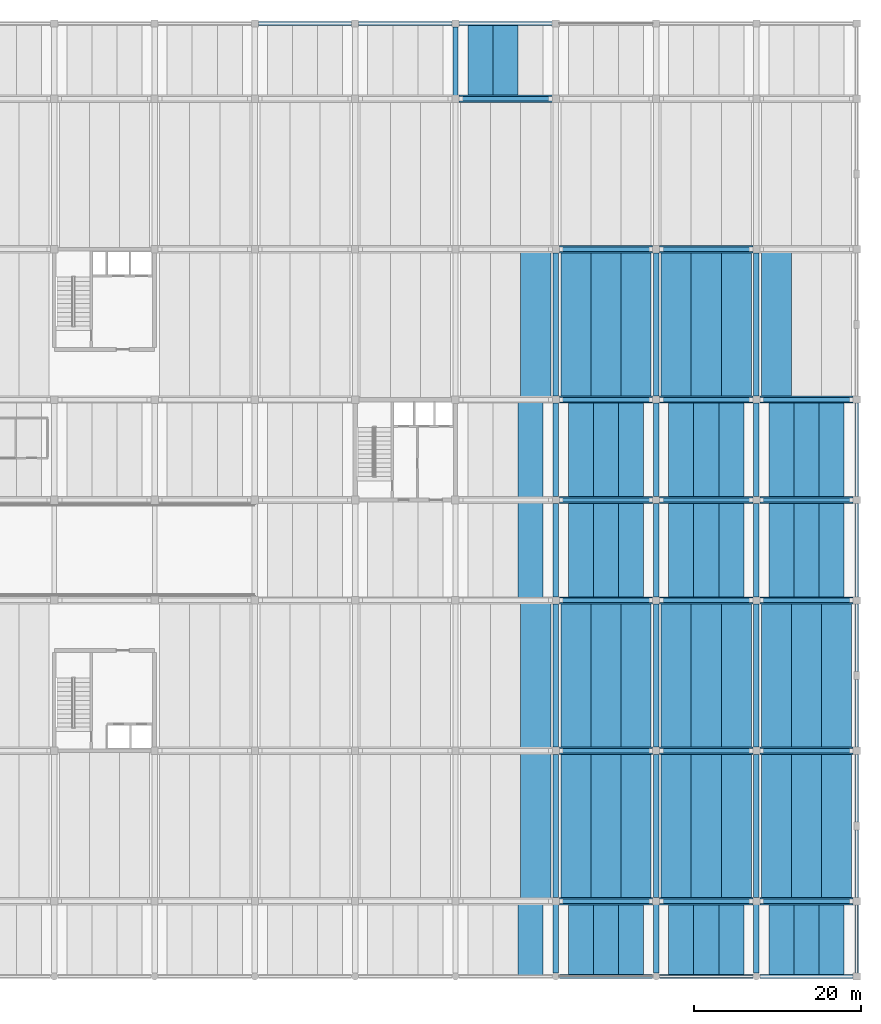
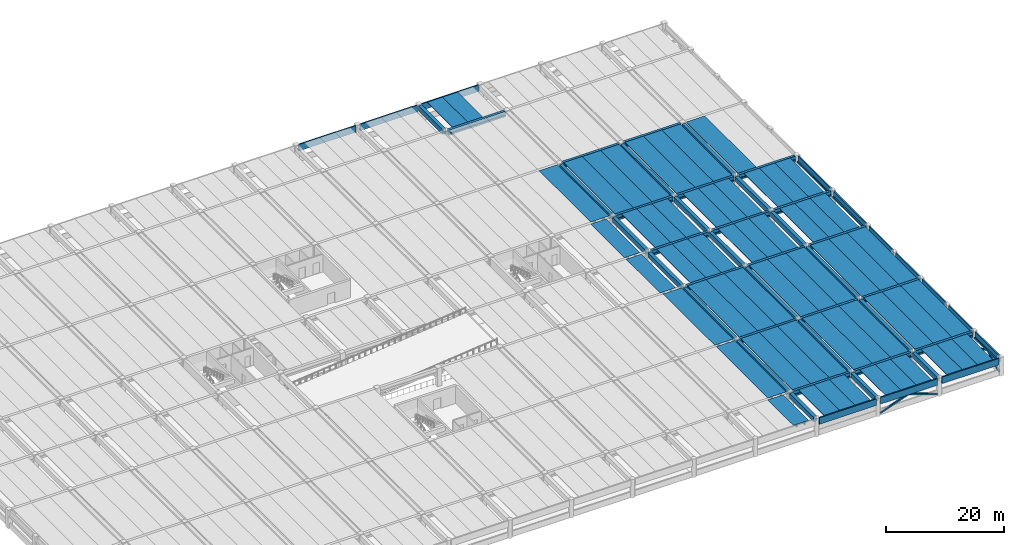
# One storey, part 5 of 19: 110 beams, 4 members.
"""IFC4 building model written with IfcOpenShell, lengths in metres."""

from ifc_helpers import new_model, si_unit, direction, frame, origin, origin_2d, place, context, subcontext, project, spatial, polyline, rectangle, hollow_rectangle, outline, extrude, material, material_profile, profile_set, type_object, element, save


model = new_model("IFC4")

# Units and contexts
model_context = context("Model", 3, precision=1e-05, world=origin(), true_north=direction((0.0, 1.0)))
body_context = subcontext(model_context, "Body", "Model", "MODEL_VIEW")
ifc_project = project(units=[si_unit("LENGTHUNIT", "METRE"), si_unit("AREAUNIT", "SQUARE_METRE"), si_unit("VOLUMEUNIT", "CUBIC_METRE"), si_unit("PLANEANGLEUNIT", "RADIAN"), si_unit("MASSUNIT", "GRAM", prefix="KILO")], contexts=[model_context])

# Site, building, storey
site_placement = place(None, origin())
site = spatial("IfcSite", under=ifc_project, at=site_placement, CompositionType="ELEMENT")
building_placement = place(site_placement, origin())
building = spatial("IfcBuilding", under=site, at=building_placement, Name="Girod Span Mobility Hub", CompositionType="ELEMENT")
storey_placement = place(building_placement, frame((0.0, 0.0, 9.60009765625)))
storey = spatial("IfcBuildingStorey", under=building, at=storey_placement, Name="L02", CompositionType="ELEMENT", Elevation=9.60009765625)

# Beams
ifc_material_1 = material(Name="Concrete C50/60", Category="concrete")
ifc_material_profile_1 = material_profile(ifc_material_1, outline(polyline([(-1.5, 0.35009765625), (-1.5, 0.2548828125), (-0.840087890625, 0.2548828125), (-0.81494140625, -0.35009765625), (-0.68505859375, -0.35009765625), (-0.659912109375, 0.2548828125), (0.659912109375, 0.2548828125), (0.68505859375, -0.35009765625), (0.81494140625, -0.35009765625), (0.840087890625, 0.2548828125), (1.5, 0.2548828125), (1.5, 0.35009765625), (-1.5, 0.35009765625)])), Name="DT-3000X700")
ifc_profile_set_1 = profile_set([ifc_material_profile_1], Name="Concrete C50/60")
beam_type_1 = type_object("IfcBeamType", Name="BM-DT-3000X700", PredefinedType="JOIST", material=ifc_profile_set_1)
beam_1_placement = place(storey_placement, frame((129.0, 0.02197265625, 3.284912109375), z_axis=(0.0, 1.0, 0.0), x_axis=(-1.0, 0.0, 0.0)))
element("IfcBeam", 1, at=beam_1_placement, inside=storey, type_object=beam_type_1, Name="Double-Tee Deck 11/A-3 L02", PredefinedType="JOIST", context=body_context, shape_type="SweptSolid", body=[
    extrude(outline(polyline([(-1.5, 0.35009765625), (-1.5, 0.2548828125), (-0.840087890625, 0.2548828125), (-0.81494140625, -0.35009765625), (-0.68505859375, -0.35009765625), (-0.659912109375, 0.2548828125), (0.659912109375, 0.2548828125), (0.68505859375, -0.35009765625), (0.81494140625, -0.35009765625), (0.840087890625, 0.2548828125), (1.5, 0.2548828125), (1.5, 0.35009765625), (-1.5, 0.35009765625)])), origin(), (0.0, 0.0, 1.0), 8.73095703125),
])
for number, where, z_axis, x_axis, name in (
    (2, (129.0, 45.2470703125, 3.284912109375), (0.0, 1.0, 0.0), (-1.0, 0.0, 0.0), "Double-Tee Deck 11/D-3 L02"),
    (3, (129.0, 57.2470703125, 3.284912109375), (0.0, 1.0, 0.0), (-1.0, 0.0, 0.0), "Double-Tee Deck 11/E-3 L02"),
):
    element("IfcBeam", number, at=place(storey_placement, frame(where, z_axis=z_axis, x_axis=x_axis)), inside=storey, type_object=beam_type_1, Name=name, PredefinedType="JOIST", context=body_context, shape_type="SweptSolid", body=[
        extrude(outline(polyline([(-1.5, 0.35009765625), (-1.5, 0.2548828125), (-0.840087890625, 0.2548828125), (-0.81494140625, -0.35009765625), (-0.68505859375, -0.35009765625), (-0.659912109375, 0.2548828125), (0.659912109375, 0.2548828125), (0.68505859375, -0.35009765625), (0.81494140625, -0.35009765625), (0.840087890625, 0.2548828125), (1.5, 0.2548828125), (1.5, 0.35009765625), (-1.5, 0.35009765625)])), origin(), (0.0, 0.0, 1.0), 11.505859375),
    ])
for number, where, z_axis, x_axis, name in (
    (4, (123.0, 105.2470703125, 3.284912109375), (0.0, 1.0, 0.0), (-1.0, 0.0, 0.0), "Double-Tee Deck 11/H-1 L02"),
    (5, (126.0, 105.2470703125, 3.284912109375), (0.0, 1.0, 0.0), (-1.0, 0.0, 0.0), "Double-Tee Deck 11/H-2 L02"),
):
    element("IfcBeam", number, at=place(storey_placement, frame(where, z_axis=z_axis, x_axis=x_axis)), inside=storey, type_object=beam_type_1, Name=name, PredefinedType="JOIST", context=body_context, shape_type="SweptSolid", body=[
        extrude(outline(polyline([(-1.5, 0.35009765625), (-1.5, 0.2548828125), (-0.840087890625, 0.2548828125), (-0.81494140625, -0.35009765625), (-0.68505859375, -0.35009765625), (-0.659912109375, 0.2548828125), (0.659912109375, 0.2548828125), (0.68505859375, -0.35009765625), (0.81494140625, -0.35009765625), (0.840087890625, 0.2548828125), (1.5, 0.2548828125), (1.5, 0.35009765625), (-1.5, 0.35009765625)])), origin(), (0.0, 0.0, 1.0), 8.531005859375),
    ])
for number, where, z_axis, x_axis, name in (
    (6, (135.0, 0.02197265625, 3.284912109375), (0.0, 1.0, 0.0), (-1.0, 0.0, 0.0), "Double-Tee Deck 12/A-1 L02"),
    (7, (138.0, 0.02197265625, 3.284912109375), (0.0, 1.0, 0.0), (-1.0, 0.0, 0.0), "Double-Tee Deck 12/A-2 L02"),
    (8, (141.0, 0.02197265625, 3.284912109375), (0.0, 1.0, 0.0), (-1.0, 0.0, 0.0), "Double-Tee Deck 12/A-3 L02"),
):
    element("IfcBeam", number, at=place(storey_placement, frame(where, z_axis=z_axis, x_axis=x_axis)), inside=storey, type_object=beam_type_1, Name=name, PredefinedType="JOIST", context=body_context, shape_type="SweptSolid", body=[
        extrude(outline(polyline([(-1.5, 0.35009765625), (-1.5, 0.2548828125), (-0.840087890625, 0.2548828125), (-0.81494140625, -0.35009765625), (-0.68505859375, -0.35009765625), (-0.659912109375, 0.2548828125), (0.659912109375, 0.2548828125), (0.68505859375, -0.35009765625), (0.81494140625, -0.35009765625), (0.840087890625, 0.2548828125), (1.5, 0.2548828125), (1.5, 0.35009765625), (-1.5, 0.35009765625)])), origin(), (0.0, 0.0, 1.0), 8.73095703125),
    ])
for number, where, z_axis, x_axis, name in (
    (9, (135.0, 45.2470703125, 3.284912109375), (0.0, 1.0, 0.0), (-1.0, 0.0, 0.0), "Double-Tee Deck 12/D-1 L02"),
    (10, (138.0, 45.2470703125, 3.284912109375), (0.0, 1.0, 0.0), (-1.0, 0.0, 0.0), "Double-Tee Deck 12/D-2 L02"),
    (11, (141.0, 45.2470703125, 3.284912109375), (0.0, 1.0, 0.0), (-1.0, 0.0, 0.0), "Double-Tee Deck 12/D-3 L02"),
    (12, (135.0, 57.2470703125, 3.284912109375), (0.0, 1.0, 0.0), (-1.0, 0.0, 0.0), "Double-Tee Deck 12/E-1 L02"),
    (13, (138.0, 57.2470703125, 3.284912109375), (0.0, 1.0, 0.0), (-1.0, 0.0, 0.0), "Double-Tee Deck 12/E-2 L02"),
    (14, (141.0, 57.2470703125, 3.284912109375), (0.0, 1.0, 0.0), (-1.0, 0.0, 0.0), "Double-Tee Deck 12/E-3 L02"),
):
    element("IfcBeam", number, at=place(storey_placement, frame(where, z_axis=z_axis, x_axis=x_axis)), inside=storey, type_object=beam_type_1, Name=name, PredefinedType="JOIST", context=body_context, shape_type="SweptSolid", body=[
        extrude(outline(polyline([(-1.5, 0.35009765625), (-1.5, 0.2548828125), (-0.840087890625, 0.2548828125), (-0.81494140625, -0.35009765625), (-0.68505859375, -0.35009765625), (-0.659912109375, 0.2548828125), (0.659912109375, 0.2548828125), (0.68505859375, -0.35009765625), (0.81494140625, -0.35009765625), (0.840087890625, 0.2548828125), (1.5, 0.2548828125), (1.5, 0.35009765625), (-1.5, 0.35009765625)])), origin(), (0.0, 0.0, 1.0), 11.505859375),
    ])
for number, where, z_axis, x_axis, name in (
    (15, (147.0, 0.02197265625, 3.284912109375), (0.0, 1.0, 0.0), (-1.0, 0.0, 0.0), "Double-Tee Deck 13/A-1 L02"),
    (16, (150.0, 0.02197265625, 3.284912109375), (0.0, 1.0, 0.0), (-1.0, 0.0, 0.0), "Double-Tee Deck 13/A-2 L02"),
    (17, (153.0, 0.02197265625, 3.284912109375), (0.0, 1.0, 0.0), (-1.0, 0.0, 0.0), "Double-Tee Deck 13/A-3 L02"),
):
    element("IfcBeam", number, at=place(storey_placement, frame(where, z_axis=z_axis, x_axis=x_axis)), inside=storey, type_object=beam_type_1, Name=name, PredefinedType="JOIST", context=body_context, shape_type="SweptSolid", body=[
        extrude(outline(polyline([(-1.5, 0.35009765625), (-1.5, 0.2548828125), (-0.840087890625, 0.2548828125), (-0.81494140625, -0.35009765625), (-0.68505859375, -0.35009765625), (-0.659912109375, 0.2548828125), (0.659912109375, 0.2548828125), (0.68505859375, -0.35009765625), (0.81494140625, -0.35009765625), (0.840087890625, 0.2548828125), (1.5, 0.2548828125), (1.5, 0.35009765625), (-1.5, 0.35009765625)])), origin(), (0.0, 0.0, 1.0), 8.73095703125),
    ])
for number, where, z_axis, x_axis, name in (
    (18, (147.0, 45.2470703125, 3.284912109375), (0.0, 1.0, 0.0), (-1.0, 0.0, 0.0), "Double-Tee Deck 13/D-1 L02"),
    (19, (150.0, 45.2470703125, 3.284912109375), (0.0, 1.0, 0.0), (-1.0, 0.0, 0.0), "Double-Tee Deck 13/D-2 L02"),
    (20, (153.0, 45.2470703125, 3.284912109375), (0.0, 1.0, 0.0), (-1.0, 0.0, 0.0), "Double-Tee Deck 13/D-3 L02"),
    (21, (147.0, 57.2470703125, 3.284912109375), (0.0, 1.0, 0.0), (-1.0, 0.0, 0.0), "Double-Tee Deck 13/E-1 L02"),
    (22, (150.0, 57.2470703125, 3.284912109375), (0.0, 1.0, 0.0), (-1.0, 0.0, 0.0), "Double-Tee Deck 13/E-2 L02"),
    (23, (153.0, 57.2470703125, 3.284912109375), (0.0, 1.0, 0.0), (-1.0, 0.0, 0.0), "Double-Tee Deck 13/E-3 L02"),
):
    element("IfcBeam", number, at=place(storey_placement, frame(where, z_axis=z_axis, x_axis=x_axis)), inside=storey, type_object=beam_type_1, Name=name, PredefinedType="JOIST", context=body_context, shape_type="SweptSolid", body=[
        extrude(outline(polyline([(-1.5, 0.35009765625), (-1.5, 0.2548828125), (-0.840087890625, 0.2548828125), (-0.81494140625, -0.35009765625), (-0.68505859375, -0.35009765625), (-0.659912109375, 0.2548828125), (0.659912109375, 0.2548828125), (0.68505859375, -0.35009765625), (0.81494140625, -0.35009765625), (0.840087890625, 0.2548828125), (1.5, 0.2548828125), (1.5, 0.35009765625), (-1.5, 0.35009765625)])), origin(), (0.0, 0.0, 1.0), 11.505859375),
    ])
for number, where, z_axis, x_axis, name in (
    (24, (159.0, 0.02197265625, 3.284912109375), (0.0, 1.0, 0.0), (-1.0, 0.0, 0.0), "Double-Tee Deck 14/A-1 L02"),
    (25, (162.0, 0.02197265625, 3.284912109375), (0.0, 1.0, 0.0), (-1.0, 0.0, 0.0), "Double-Tee Deck 14/A-2 L02"),
    (26, (165.0, 0.02197265625, 3.284912109375), (0.0, 1.0, 0.0), (-1.0, 0.0, 0.0), "Double-Tee Deck 14/A-3 L02"),
):
    element("IfcBeam", number, at=place(storey_placement, frame(where, z_axis=z_axis, x_axis=x_axis)), inside=storey, type_object=beam_type_1, Name=name, PredefinedType="JOIST", context=body_context, shape_type="SweptSolid", body=[
        extrude(outline(polyline([(-1.5, 0.35009765625), (-1.5, 0.2548828125), (-0.840087890625, 0.2548828125), (-0.81494140625, -0.35009765625), (-0.68505859375, -0.35009765625), (-0.659912109375, 0.2548828125), (0.659912109375, 0.2548828125), (0.68505859375, -0.35009765625), (0.81494140625, -0.35009765625), (0.840087890625, 0.2548828125), (1.5, 0.2548828125), (1.5, 0.35009765625), (-1.5, 0.35009765625)])), origin(), (0.0, 0.0, 1.0), 8.73095703125),
    ])
for number, where, z_axis, x_axis, name in (
    (27, (159.0, 45.2470703125, 3.284912109375), (0.0, 1.0, 0.0), (-1.0, 0.0, 0.0), "Double-Tee Deck 14/D-1 L02"),
    (28, (162.0, 45.2470703125, 3.284912109375), (0.0, 1.0, 0.0), (-1.0, 0.0, 0.0), "Double-Tee Deck 14/D-2 L02"),
    (29, (165.0, 45.2470703125, 3.284912109375), (0.0, 1.0, 0.0), (-1.0, 0.0, 0.0), "Double-Tee Deck 14/D-3 L02"),
    (30, (159.0, 57.2470703125, 3.284912109375), (0.0, 1.0, 0.0), (-1.0, 0.0, 0.0), "Double-Tee Deck 14/E-1 L02"),
    (31, (162.0, 57.2470703125, 3.284912109375), (0.0, 1.0, 0.0), (-1.0, 0.0, 0.0), "Double-Tee Deck 14/E-2 L02"),
    (32, (165.0, 57.2470703125, 3.284912109375), (0.0, 1.0, 0.0), (-1.0, 0.0, 0.0), "Double-Tee Deck 14/E-3 L02"),
):
    element("IfcBeam", number, at=place(storey_placement, frame(where, z_axis=z_axis, x_axis=x_axis)), inside=storey, type_object=beam_type_1, Name=name, PredefinedType="JOIST", context=body_context, shape_type="SweptSolid", body=[
        extrude(outline(polyline([(-1.5, 0.35009765625), (-1.5, 0.2548828125), (-0.840087890625, 0.2548828125), (-0.81494140625, -0.35009765625), (-0.68505859375, -0.35009765625), (-0.659912109375, 0.2548828125), (0.659912109375, 0.2548828125), (0.68505859375, -0.35009765625), (0.81494140625, -0.35009765625), (0.840087890625, 0.2548828125), (1.5, 0.2548828125), (1.5, 0.35009765625), (-1.5, 0.35009765625)])), origin(), (0.0, 0.0, 1.0), 11.505859375),
    ])
ifc_material_2 = material(Name="Concrete C50/60", Category="concrete")
ifc_material_profile_2 = material_profile(ifc_material_2, outline(polyline([(-1.800048828125, 0.425048828125), (-1.800048828125, 0.324951171875), (-1.0, 0.324951171875), (-0.969970703125, -0.425048828125), (-0.830078125, -0.425048828125), (-0.800048828125, 0.324951171875), (0.800048828125, 0.324951171875), (0.830078125, -0.425048828125), (0.969970703125, -0.425048828125), (1.0, 0.324951171875), (1.800048828125, 0.324951171875), (1.800048828125, 0.425048828125), (-1.800048828125, 0.425048828125)])), Name="DT-3600X850")
ifc_profile_set_2 = profile_set([ifc_material_profile_2], Name="Concrete C50/60")
beam_type_2 = type_object("IfcBeamType", Name="BM-DT-3600X850", PredefinedType="JOIST", material=ifc_profile_set_2)
for number, where, z_axis, x_axis, name in (
    (33, (129.60009765625, 9.2470703125, 3.2099609375), (0.0, 1.0, 0.0), (-1.0, 0.0, 0.0), "Double-Tee Deck 11/B-3 L02"),
    (34, (129.60009765625, 27.2470703125, 3.2099609375), (0.0, 1.0, 0.0), (-1.0, 0.0, 0.0), "Double-Tee Deck 11/C-3 L02"),
    (35, (129.60009765625, 69.2470703125, 3.2099609375), (0.0, 1.0, 0.0), (-1.0, 0.0, 0.0), "Double-Tee Deck 11/F-3 L02"),
    (36, (134.39990234375, 9.2470703125, 3.2099609375), (0.0, 1.0, 0.0), (-1.0, 0.0, 0.0), "Double-Tee Deck 12/B-1 L02"),
    (37, (138.0, 9.2470703125, 3.2099609375), (0.0, 1.0, 0.0), (-1.0, 0.0, 0.0), "Double-Tee Deck 12/B-2 L02"),
    (38, (141.60009765625, 9.2470703125, 3.2099609375), (0.0, 1.0, 0.0), (-1.0, 0.0, 0.0), "Double-Tee Deck 12/B-3 L02"),
    (39, (134.39990234375, 27.2470703125, 3.2099609375), (0.0, 1.0, 0.0), (-1.0, 0.0, 0.0), "Double-Tee Deck 12/C-1 L02"),
    (40, (138.0, 27.2470703125, 3.2099609375), (0.0, 1.0, 0.0), (-1.0, 0.0, 0.0), "Double-Tee Deck 12/C-2 L02"),
    (41, (141.60009765625, 27.2470703125, 3.2099609375), (0.0, 1.0, 0.0), (-1.0, 0.0, 0.0), "Double-Tee Deck 12/C-3 L02"),
    (42, (134.39990234375, 69.2470703125, 3.2099609375), (0.0, 1.0, 0.0), (-1.0, 0.0, 0.0), "Double-Tee Deck 12/F-1 L02"),
    (43, (138.0, 69.2470703125, 3.2099609375), (0.0, 1.0, 0.0), (-1.0, 0.0, 0.0), "Double-Tee Deck 12/F-2 L02"),
    (44, (141.60009765625, 69.2470703125, 3.2099609375), (0.0, 1.0, 0.0), (-1.0, 0.0, 0.0), "Double-Tee Deck 12/F-3 L02"),
    (45, (146.39990234375, 9.2470703125, 3.2099609375), (0.0, 1.0, 0.0), (-1.0, 0.0, 0.0), "Double-Tee Deck 13/B-1 L02"),
    (46, (150.0, 9.2470703125, 3.2099609375), (0.0, 1.0, 0.0), (-1.0, 0.0, 0.0), "Double-Tee Deck 13/B-2 L02"),
    (47, (153.60009765625, 9.2470703125, 3.2099609375), (0.0, 1.0, 0.0), (-1.0, 0.0, 0.0), "Double-Tee Deck 13/B-3 L02"),
    (48, (146.39990234375, 27.2470703125, 3.2099609375), (0.0, 1.0, 0.0), (-1.0, 0.0, 0.0), "Double-Tee Deck 13/C-1 L02"),
    (49, (150.0, 27.2470703125, 3.2099609375), (0.0, 1.0, 0.0), (-1.0, 0.0, 0.0), "Double-Tee Deck 13/C-2 L02"),
    (50, (153.60009765625, 27.2470703125, 3.2099609375), (0.0, 1.0, 0.0), (-1.0, 0.0, 0.0), "Double-Tee Deck 13/C-3 L02"),
    (51, (146.39990234375, 69.2470703125, 3.2099609375), (0.0, 1.0, 0.0), (-1.0, 0.0, 0.0), "Double-Tee Deck 13/F-1 L02"),
    (52, (150.0, 69.2470703125, 3.2099609375), (0.0, 1.0, 0.0), (-1.0, 0.0, 0.0), "Double-Tee Deck 13/F-2 L02"),
    (53, (153.60009765625, 69.2470703125, 3.2099609375), (0.0, 1.0, 0.0), (-1.0, 0.0, 0.0), "Double-Tee Deck 13/F-3 L02"),
    (54, (158.39990234375, 9.2470703125, 3.2099609375), (0.0, 1.0, 0.0), (-1.0, 0.0, 0.0), "Double-Tee Deck 14/B-1 L02"),
    (55, (162.0, 9.2470703125, 3.2099609375), (0.0, 1.0, 0.0), (-1.0, 0.0, 0.0), "Double-Tee Deck 14/B-2 L02"),
    (56, (165.60009765625, 9.2470703125, 3.2099609375), (0.0, 1.0, 0.0), (-1.0, 0.0, 0.0), "Double-Tee Deck 14/B-3 L02"),
    (57, (158.39990234375, 27.2470703125, 3.2099609375), (0.0, 1.0, 0.0), (-1.0, 0.0, 0.0), "Double-Tee Deck 14/C-1 L02"),
    (58, (162.0, 27.2470703125, 3.2099609375), (0.0, 1.0, 0.0), (-1.0, 0.0, 0.0), "Double-Tee Deck 14/C-2 L02"),
    (59, (165.60009765625, 27.2470703125, 3.2099609375), (0.0, 1.0, 0.0), (-1.0, 0.0, 0.0), "Double-Tee Deck 14/C-3 L02"),
    (60, (158.39990234375, 69.2470703125, 3.2099609375), (0.0, 1.0, 0.0), (-1.0, 0.0, 0.0), "Double-Tee Deck 14/F-1 L02"),
):
    element("IfcBeam", number, at=place(storey_placement, frame(where, z_axis=z_axis, x_axis=x_axis)), inside=storey, type_object=beam_type_2, Name=name, PredefinedType="JOIST", context=body_context, shape_type="SweptSolid", body=[
        extrude(outline(polyline([(-1.800048828125, 0.425048828125), (-1.800048828125, 0.324951171875), (-1.0, 0.324951171875), (-0.969970703125, -0.425048828125), (-0.830078125, -0.425048828125), (-0.800048828125, 0.324951171875), (0.800048828125, 0.324951171875), (0.830078125, -0.425048828125), (0.969970703125, -0.425048828125), (1.0, 0.324951171875), (1.800048828125, 0.324951171875), (1.800048828125, 0.425048828125), (-1.800048828125, 0.425048828125)])), origin(), (0.0, 0.0, 1.0), 17.505859375),
    ])
ifc_material_3 = material(Name="Concrete C50/60", Category="concrete")
ifc_material_profile_3 = material_profile(ifc_material_3, outline(polyline([(-0.425048828125, -0.47509765625), (0.425048828125, -0.47509765625), (0.425048828125, -0.155029296875), (0.25, -0.155029296875), (0.25, 0.47509765625), (-0.25, 0.47509765625), (-0.25, -0.155029296875), (-0.425048828125, -0.155029296875), (-0.425048828125, -0.47509765625)])), Name="IT-850X950")
ifc_profile_set_3 = profile_set([ifc_material_profile_3], Name="Concrete C50/60")
beam_type_3 = type_object("IfcBeamType", Name="BM-IT-850X950", PredefinedType="T_BEAM", material=ifc_profile_set_3)
for number, where, z_axis, x_axis, name in (
    (61, (132.422119140625, 9.0, 3.159912109375), (1.0, 0.0, 0.0), (0.0, 1.0, 0.0), "Girder 12-13/B L02"),
    (62, (144.422119140625, 9.0, 3.159912109375), (1.0, 0.0, 0.0), (0.0, 1.0, 0.0), "Girder 13-14/B L02"),
    (63, (156.422119140625, 9.0, 3.159912109375), (1.0, 0.0, 0.0), (0.0, 1.0, 0.0), "Girder 14-15/B L02"),
    (64, (132.422119140625, 27.0, 3.159912109375), (1.0, 0.0, 0.0), (0.0, 1.0, 0.0), "Girder 12-13/C L02"),
    (65, (144.422119140625, 27.0, 3.159912109375), (1.0, 0.0, 0.0), (0.0, 1.0, 0.0), "Girder 13-14/C L02"),
    (66, (156.422119140625, 27.0, 3.159912109375), (1.0, 0.0, 0.0), (0.0, 1.0, 0.0), "Girder 14-15/C L02"),
    (67, (132.422119140625, 45.0, 3.159912109375), (1.0, 0.0, 0.0), (0.0, 1.0, 0.0), "Girder 12-13/D L02"),
    (68, (144.422119140625, 45.0, 3.159912109375), (1.0, 0.0, 0.0), (0.0, 1.0, 0.0), "Girder 13-14/D L02"),
    (69, (156.422119140625, 45.0, 3.159912109375), (1.0, 0.0, 0.0), (0.0, 1.0, 0.0), "Girder 14-15/D L02"),
    (70, (132.422119140625, 57.0, 3.159912109375), (1.0, 0.0, 0.0), (0.0, 1.0, 0.0), "Girder 12-13/E L02"),
    (71, (144.422119140625, 57.0, 3.159912109375), (1.0, 0.0, 0.0), (0.0, 1.0, 0.0), "Girder 13-14/E L02"),
    (72, (156.422119140625, 57.0, 3.159912109375), (1.0, 0.0, 0.0), (0.0, 1.0, 0.0), "Girder 14-15/E L02"),
    (73, (132.422119140625, 69.0, 3.159912109375), (1.0, 0.0, 0.0), (0.0, 1.0, 0.0), "Girder 12-13/F L02"),
    (74, (144.422119140625, 69.0, 3.159912109375), (1.0, 0.0, 0.0), (0.0, 1.0, 0.0), "Girder 13-14/F L02"),
    (75, (156.422119140625, 69.0, 3.159912109375), (1.0, 0.0, 0.0), (0.0, 1.0, 0.0), "Girder 14-15/F L02"),
    (76, (132.422119140625, 87.0, 3.159912109375), (1.0, 0.0, 0.0), (0.0, 1.0, 0.0), "Girder 12-13/G L02"),
    (77, (144.422119140625, 87.0, 3.159912109375), (1.0, 0.0, 0.0), (0.0, 1.0, 0.0), "Girder 13-14/G L02"),
    (78, (120.422119140625, 105.0, 3.159912109375), (1.0, 0.0, 0.0), (0.0, 1.0, 0.0), "Girder 11-12/H L02"),
):
    element("IfcBeam", number, at=place(storey_placement, frame(where, z_axis=z_axis, x_axis=x_axis)), inside=storey, type_object=beam_type_3, Name=name, PredefinedType="T_BEAM", context=body_context, shape_type="SweptSolid", body=[
        extrude(outline(polyline([(-0.425048828125, -0.47509765625), (0.425048828125, -0.47509765625), (0.425048828125, -0.155029296875), (0.25, -0.155029296875), (0.25, 0.47509765625), (-0.25, 0.47509765625), (-0.25, -0.155029296875), (-0.425048828125, -0.155029296875), (-0.425048828125, -0.47509765625)])), origin(), (0.0, 0.0, 1.0), 11.15576171875),
    ])
ifc_material_4 = material(Name="Concrete C40/50", Category="concrete")
ifc_material_profile_4 = material_profile(ifc_material_4, outline(polyline([(-0.22509765625, -0.675048828125), (0.22509765625, -0.675048828125), (0.22509765625, -0.324951171875), (0.02490234375, -0.324951171875), (0.02490234375, 0.675048828125), (-0.22509765625, 0.675048828125), (-0.22509765625, -0.675048828125)])), Name="SP-450X1350")
ifc_profile_set_4 = profile_set([ifc_material_profile_4], Name="Concrete C40/50")
beam_type_4 = type_object("IfcBeamType", Name="BM-SP-450X1350", PredefinedType="SPANDREL", material=ifc_profile_set_4)
for number, where, z_axis, x_axis, name in (
    (79, (132.422119140625, 0.0, 2.9599609375), (1.0, 0.0, 0.0), (0.0, 1.0, 0.0), "Girder 12-13/A L02"),
    (80, (144.422119140625, 0.0, 2.9599609375), (1.0, 0.0, 0.0), (0.0, 1.0, 0.0), "Girder 13-14/A L02"),
    (81, (156.422119140625, 0.0, 2.9599609375), (1.0, 0.0, 0.0), (0.0, 1.0, 0.0), "Girder 14-15/A L02"),
    (82, (96.422119140625, 114.0, 2.9599609375), (1.0, 0.0, 0.0), (0.0, 1.0, 0.0), "Girder 9-10/J L02"),
    (83, (108.422119140625, 114.0, 2.9599609375), (1.0, 0.0, 0.0), (0.0, 1.0, 0.0), "Girder 10-11/J L02"),
    (84, (120.422119140625, 114.0, 2.9599609375), (1.0, 0.0, 0.0), (0.0, 1.0, 0.0), "Girder 11-12/J L02"),
):
    element("IfcBeam", number, at=place(storey_placement, frame(where, z_axis=z_axis, x_axis=x_axis)), inside=storey, type_object=beam_type_4, Name=name, PredefinedType="SPANDREL", context=body_context, shape_type="SweptSolid", body=[
        extrude(outline(polyline([(-0.22509765625, -0.675048828125), (0.22509765625, -0.675048828125), (0.22509765625, -0.324951171875), (0.02490234375, -0.324951171875), (0.02490234375, 0.675048828125), (-0.22509765625, 0.675048828125), (-0.22509765625, -0.675048828125)])), origin(), (0.0, 0.0, 1.0), 11.15576171875),
    ])
beam_2_placement = place(storey_placement, frame((168.0, 0.422119140625, 2.9599609375), z_axis=(0.0, 1.0, 0.0), x_axis=(-1.0, 0.0, 0.0)))
element("IfcBeam", 85, at=beam_2_placement, inside=storey, type_object=beam_type_4, Name="Tie Girder 15/A-B L02", PredefinedType="SPANDREL", context=body_context, shape_type="SweptSolid", body=[
    extrude(outline(polyline([(-0.22509765625, -0.675048828125), (0.22509765625, -0.675048828125), (0.22509765625, -0.324951171875), (0.02490234375, -0.324951171875), (0.02490234375, 0.675048828125), (-0.22509765625, 0.675048828125), (-0.22509765625, -0.675048828125)])), origin(), (0.0, 0.0, 1.0), 8.15576171875),
])
for number, where, z_axis, x_axis, name in (
    (86, (168.0, 9.422119140625, 2.9599609375), (0.0, 1.0, 0.0), (-1.0, 0.0, 0.0), "Perimeter Spandrel 15/B-S L02"),
    (87, (168.0, 18.471923828125, 2.9599609375), (0.0, 1.0, 0.0), (-1.0, 0.0, 0.0), "Perimeter Spandrel 15/B-N L02"),
    (88, (168.0, 27.422119140625, 2.9599609375), (0.0, 1.0, 0.0), (-1.0, 0.0, 0.0), "Perimeter Spandrel 15/C-S L02"),
    (89, (168.0, 36.471923828125, 2.9599609375), (0.0, 1.0, 0.0), (-1.0, 0.0, 0.0), "Perimeter Spandrel 15/C-N L02"),
):
    element("IfcBeam", number, at=place(storey_placement, frame(where, z_axis=z_axis, x_axis=x_axis)), inside=storey, type_object=beam_type_4, Name=name, PredefinedType="SPANDREL", context=body_context, shape_type="SweptSolid", body=[
        extrude(outline(polyline([(-0.22509765625, -0.675048828125), (0.22509765625, -0.675048828125), (0.22509765625, -0.324951171875), (0.02490234375, -0.324951171875), (0.02490234375, 0.675048828125), (-0.22509765625, 0.675048828125), (-0.22509765625, -0.675048828125)])), origin(), (0.0, 0.0, 1.0), 8.10595703125),
    ])
for number, where, z_axis, x_axis, name in (
    (90, (168.0, 45.422119140625, 2.9599609375), (0.0, 1.0, 0.0), (-1.0, 0.0, 0.0), "Tie Girder 15/D-E L02"),
    (91, (168.0, 57.422119140625, 2.9599609375), (0.0, 1.0, 0.0), (-1.0, 0.0, 0.0), "Tie Girder 15/E-F L02"),
):
    element("IfcBeam", number, at=place(storey_placement, frame(where, z_axis=z_axis, x_axis=x_axis)), inside=storey, type_object=beam_type_4, Name=name, PredefinedType="SPANDREL", context=body_context, shape_type="SweptSolid", body=[
        extrude(outline(polyline([(-0.22509765625, -0.675048828125), (0.22509765625, -0.675048828125), (0.22509765625, -0.324951171875), (0.02490234375, -0.324951171875), (0.02490234375, 0.675048828125), (-0.22509765625, 0.675048828125), (-0.22509765625, -0.675048828125)])), origin(), (0.0, 0.0, 1.0), 11.15576171875),
    ])
ifc_material_5 = material(Name="Concrete C40/50", Category="concrete")
ifc_material_profile_5 = material_profile(ifc_material_5, rectangle(XDim=0.64990234375, YDim=1.0, at=origin_2d()), Name="TG-650X1000")
ifc_profile_set_5 = profile_set([ifc_material_profile_5], Name="Concrete C40/50")
beam_type_5 = type_object("IfcBeamType", Name="BM-TG-650X1000", PredefinedType="T_BEAM", material=ifc_profile_set_5)
for number, where, z_axis, x_axis, name in (
    (92, (120.0, 105.422119140625, 3.135009765625), (0.0, 1.0, 0.0), (-1.0, 0.0, 0.0), "Tie Girder 11/H-J L02"),
    (93, (132.0, 0.422119140625, 3.135009765625), (0.0, 1.0, 0.0), (-1.0, 0.0, 0.0), "Tie Girder 12/A-B L02"),
):
    element("IfcBeam", number, at=place(storey_placement, frame(where, z_axis=z_axis, x_axis=x_axis)), inside=storey, type_object=beam_type_5, Name=name, PredefinedType="T_BEAM", context=body_context, shape_type="SweptSolid", body=[
        extrude(rectangle(XDim=0.64990234375, YDim=1.0, at=origin_2d()), origin(), (0.0, 0.0, 1.0), 8.15576171875),
    ])
for number, where, z_axis, x_axis, name in (
    (94, (132.0, 9.422119140625, 3.135009765625), (0.0, 1.0, 0.0), (-1.0, 0.0, 0.0), "Tie Girder 12/B-C L02"),
    (95, (132.0, 27.422119140625, 3.135009765625), (0.0, 1.0, 0.0), (-1.0, 0.0, 0.0), "Tie Girder 12/C-D L02"),
):
    element("IfcBeam", number, at=place(storey_placement, frame(where, z_axis=z_axis, x_axis=x_axis)), inside=storey, type_object=beam_type_5, Name=name, PredefinedType="T_BEAM", context=body_context, shape_type="SweptSolid", body=[
        extrude(rectangle(XDim=0.64990234375, YDim=1.0, at=origin_2d()), origin(), (0.0, 0.0, 1.0), 17.15576171875),
    ])
for number, where, z_axis, x_axis, name in (
    (96, (132.0, 45.422119140625, 3.135009765625), (0.0, 1.0, 0.0), (-1.0, 0.0, 0.0), "Tie Girder 12/D-E L02"),
    (97, (132.0, 57.422119140625, 3.135009765625), (0.0, 1.0, 0.0), (-1.0, 0.0, 0.0), "Tie Girder 12/E-F L02"),
):
    element("IfcBeam", number, at=place(storey_placement, frame(where, z_axis=z_axis, x_axis=x_axis)), inside=storey, type_object=beam_type_5, Name=name, PredefinedType="T_BEAM", context=body_context, shape_type="SweptSolid", body=[
        extrude(rectangle(XDim=0.64990234375, YDim=1.0, at=origin_2d()), origin(), (0.0, 0.0, 1.0), 11.15576171875),
    ])
beam_3_placement = place(storey_placement, frame((132.0, 69.422119140625, 3.135009765625), z_axis=(0.0, 1.0, 0.0), x_axis=(-1.0, 0.0, 0.0)))
element("IfcBeam", 98, at=beam_3_placement, inside=storey, type_object=beam_type_5, Name="Tie Girder 12/F-G L02", PredefinedType="T_BEAM", context=body_context, shape_type="SweptSolid", body=[
    extrude(rectangle(XDim=0.64990234375, YDim=1.0, at=origin_2d()), origin(), (0.0, 0.0, 1.0), 17.15576171875),
])
beam_4_placement = place(storey_placement, frame((144.0, 0.422119140625, 3.135009765625), z_axis=(0.0, 1.0, 0.0), x_axis=(-1.0, 0.0, 0.0)))
element("IfcBeam", 99, at=beam_4_placement, inside=storey, type_object=beam_type_5, Name="Tie Girder 13/A-B L02", PredefinedType="T_BEAM", context=body_context, shape_type="SweptSolid", body=[
    extrude(rectangle(XDim=0.64990234375, YDim=1.0, at=origin_2d()), origin(), (0.0, 0.0, 1.0), 8.15576171875),
])
for number, where, z_axis, x_axis, name in (
    (100, (144.0, 9.422119140625, 3.135009765625), (0.0, 1.0, 0.0), (-1.0, 0.0, 0.0), "Tie Girder 13/B-C L02"),
    (101, (144.0, 27.422119140625, 3.135009765625), (0.0, 1.0, 0.0), (-1.0, 0.0, 0.0), "Tie Girder 13/C-D L02"),
):
    element("IfcBeam", number, at=place(storey_placement, frame(where, z_axis=z_axis, x_axis=x_axis)), inside=storey, type_object=beam_type_5, Name=name, PredefinedType="T_BEAM", context=body_context, shape_type="SweptSolid", body=[
        extrude(rectangle(XDim=0.64990234375, YDim=1.0, at=origin_2d()), origin(), (0.0, 0.0, 1.0), 17.15576171875),
    ])
for number, where, z_axis, x_axis, name in (
    (102, (144.0, 45.422119140625, 3.135009765625), (0.0, 1.0, 0.0), (-1.0, 0.0, 0.0), "Tie Girder 13/D-E L02"),
    (103, (144.0, 57.422119140625, 3.135009765625), (0.0, 1.0, 0.0), (-1.0, 0.0, 0.0), "Tie Girder 13/E-F L02"),
):
    element("IfcBeam", number, at=place(storey_placement, frame(where, z_axis=z_axis, x_axis=x_axis)), inside=storey, type_object=beam_type_5, Name=name, PredefinedType="T_BEAM", context=body_context, shape_type="SweptSolid", body=[
        extrude(rectangle(XDim=0.64990234375, YDim=1.0, at=origin_2d()), origin(), (0.0, 0.0, 1.0), 11.15576171875),
    ])
beam_5_placement = place(storey_placement, frame((144.0, 69.422119140625, 3.135009765625), z_axis=(0.0, 1.0, 0.0), x_axis=(-1.0, 0.0, 0.0)))
element("IfcBeam", 104, at=beam_5_placement, inside=storey, type_object=beam_type_5, Name="Tie Girder 13/F-G L02", PredefinedType="T_BEAM", context=body_context, shape_type="SweptSolid", body=[
    extrude(rectangle(XDim=0.64990234375, YDim=1.0, at=origin_2d()), origin(), (0.0, 0.0, 1.0), 17.15576171875),
])
beam_6_placement = place(storey_placement, frame((156.0, 0.422119140625, 3.135009765625), z_axis=(0.0, 1.0, 0.0), x_axis=(-1.0, 0.0, 0.0)))
element("IfcBeam", 105, at=beam_6_placement, inside=storey, type_object=beam_type_5, Name="Tie Girder 14/A-B L02", PredefinedType="T_BEAM", context=body_context, shape_type="SweptSolid", body=[
    extrude(rectangle(XDim=0.64990234375, YDim=1.0, at=origin_2d()), origin(), (0.0, 0.0, 1.0), 8.15576171875),
])
for number, where, z_axis, x_axis, name in (
    (106, (156.0, 9.422119140625, 3.135009765625), (0.0, 1.0, 0.0), (-1.0, 0.0, 0.0), "Tie Girder 14/B-C L02"),
    (107, (156.0, 27.422119140625, 3.135009765625), (0.0, 1.0, 0.0), (-1.0, 0.0, 0.0), "Tie Girder 14/C-D L02"),
):
    element("IfcBeam", number, at=place(storey_placement, frame(where, z_axis=z_axis, x_axis=x_axis)), inside=storey, type_object=beam_type_5, Name=name, PredefinedType="T_BEAM", context=body_context, shape_type="SweptSolid", body=[
        extrude(rectangle(XDim=0.64990234375, YDim=1.0, at=origin_2d()), origin(), (0.0, 0.0, 1.0), 17.15576171875),
    ])
for number, where, z_axis, x_axis, name in (
    (108, (156.0, 45.422119140625, 3.135009765625), (0.0, 1.0, 0.0), (-1.0, 0.0, 0.0), "Tie Girder 14/D-E L02"),
    (109, (156.0, 57.422119140625, 3.135009765625), (0.0, 1.0, 0.0), (-1.0, 0.0, 0.0), "Tie Girder 14/E-F L02"),
):
    element("IfcBeam", number, at=place(storey_placement, frame(where, z_axis=z_axis, x_axis=x_axis)), inside=storey, type_object=beam_type_5, Name=name, PredefinedType="T_BEAM", context=body_context, shape_type="SweptSolid", body=[
        extrude(rectangle(XDim=0.64990234375, YDim=1.0, at=origin_2d()), origin(), (0.0, 0.0, 1.0), 11.15576171875),
    ])
beam_7_placement = place(storey_placement, frame((156.0, 69.422119140625, 3.135009765625), z_axis=(0.0, 1.0, 0.0), x_axis=(-1.0, 0.0, 0.0)))
element("IfcBeam", 110, at=beam_7_placement, inside=storey, type_object=beam_type_5, Name="Tie Girder 14/F-G L02", PredefinedType="T_BEAM", context=body_context, shape_type="SweptSolid", body=[
    extrude(rectangle(XDim=0.64990234375, YDim=1.0, at=origin_2d()), origin(), (0.0, 0.0, 1.0), 17.15576171875),
])

# Members
ifc_material_6 = material(Name="Steel HSS A500 Grade C", Category="steel")
ifc_material_profile_6 = material_profile(ifc_material_6, hollow_rectangle(XDim=0.304931640625, YDim=0.304931640625, WallThickness=0.014892578125, InnerFilletRadius=0.014892578125, OuterFilletRadius=0.029541015625, at=origin_2d()), Name="HSS305X305X16")
ifc_profile_set_6 = profile_set([ifc_material_profile_6], Name="Steel HSS A500 Grade C")
member_type = type_object("IfcMemberType", Name="MB-BR-HSS305", PredefinedType="BRACE", material=ifc_profile_set_6)
for number, where, z_axis, x_axis, name in (
    (111, (144.405029296875, 0.0, 0.349853515625), (0.940836636114, 0.0, 0.33886047888), (0.0, 1.0, 0.0), "Perimeter Chevron Brace 13/A-L L02"),
    (112, (155.594970703125, 0.0, 0.349853515625), (-0.940836636114, 0.0, 0.33886047888), (0.0, -1.0, 0.0), "Perimeter Chevron Brace 13/A-R L02"),
):
    element("IfcMember", number, at=place(storey_placement, frame(where, z_axis=z_axis, x_axis=x_axis)), inside=storey, type_object=member_type, Name=name, PredefinedType="BRACE", context=body_context, shape_type="SweptSolid", body=[
        extrude(hollow_rectangle(XDim=0.304931640625, YDim=0.304931640625, WallThickness=0.014892578125, InnerFilletRadius=0.014892578125, OuterFilletRadius=0.029541015625, at=origin_2d()), origin(), (0.0, 0.0, 1.0), 5.94677734375),
    ])
for number, where, z_axis, x_axis, name in (
    (113, (168.0, 0.405029296875, 0.349853515625), (0.0, 0.897244365985, 0.441534310907), (-1.0, 0.0, 0.0), "Side Chevron Brace 15/A-S L02"),
    (114, (168.0, 8.594970703125, 0.349853515625), (0.0, -0.897244365985, 0.441534310907), (1.0, 0.0, 0.0), "Side Chevron Brace 15/A-N L02"),
):
    element("IfcMember", number, at=place(storey_placement, frame(where, z_axis=z_axis, x_axis=x_axis)), inside=storey, type_object=member_type, Name=name, PredefinedType="BRACE", context=body_context, shape_type="SweptSolid", body=[
        extrude(hollow_rectangle(XDim=0.304931640625, YDim=0.304931640625, WallThickness=0.014892578125, InnerFilletRadius=0.014892578125, OuterFilletRadius=0.029541015625, at=origin_2d()), origin(), (0.0, 0.0, 1.0), 4.56396484375),
    ])

save(model, "model.ifc")
